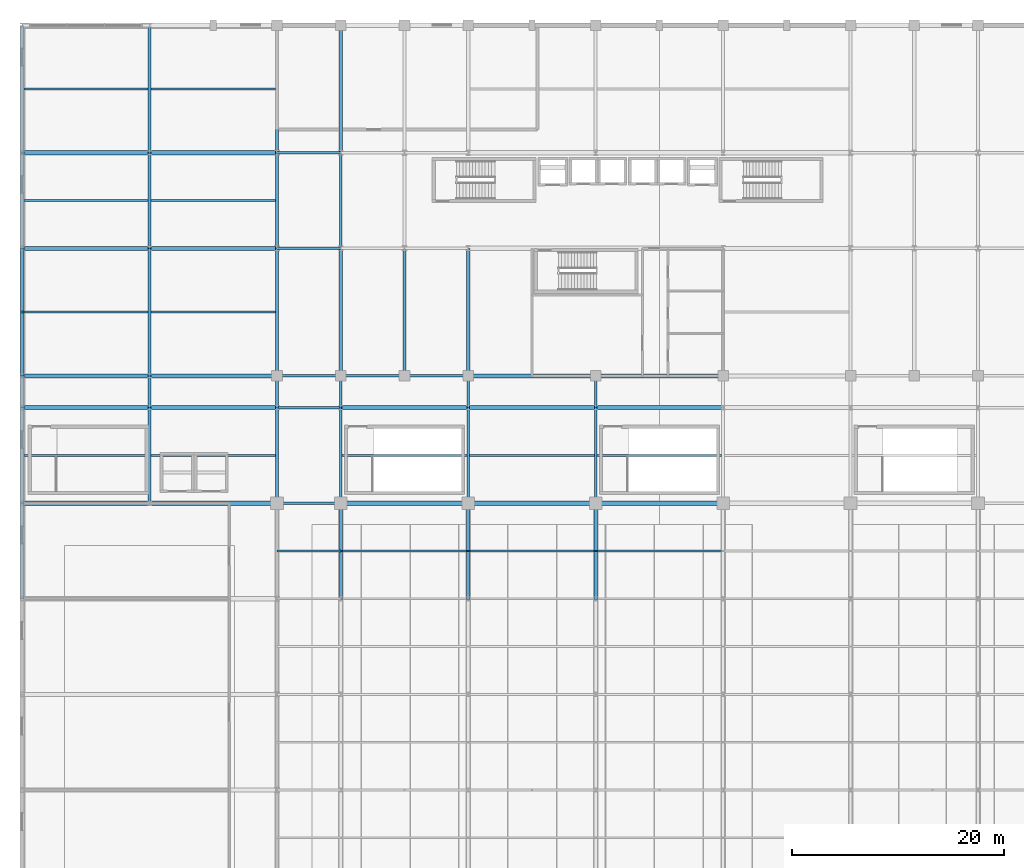
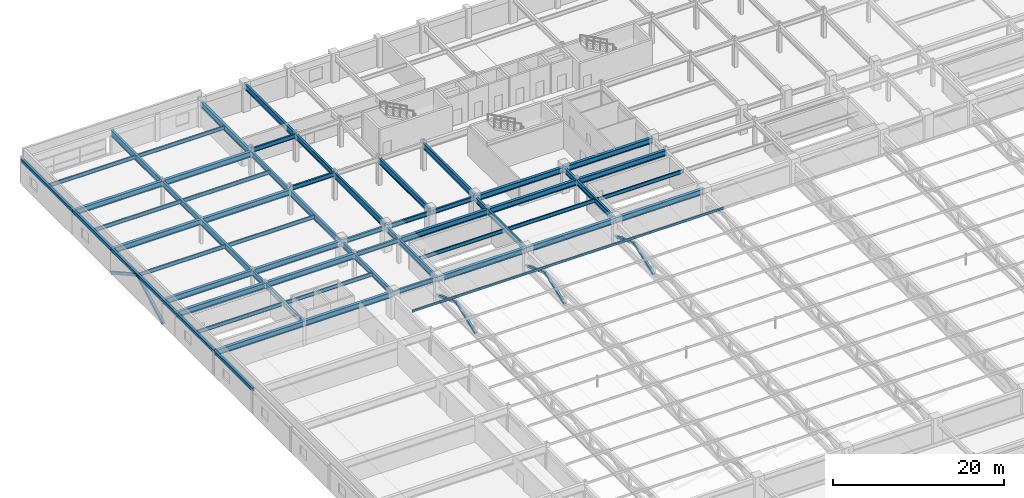
# One storey, part 42 of 108: 63 beams, 12 members.
"""IFC4 building model written with IfcOpenShell, lengths in metres."""

from ifc_helpers import new_model, si_unit, direction, frame, origin, origin_2d, place, context, subcontext, project, spatial, hollow_rectangle, i_section, extrude, material, material_profile, profile_set, type_object, element, save


model = new_model("IFC4")

# Units and contexts
model_context = context("Model", 3, precision=1e-05, world=origin(), true_north=direction((0.0, 1.0)))
body_context = subcontext(model_context, "Body", "Model", "MODEL_VIEW")
ifc_project = project(units=[si_unit("LENGTHUNIT", "METRE"), si_unit("AREAUNIT", "SQUARE_METRE"), si_unit("VOLUMEUNIT", "CUBIC_METRE"), si_unit("PLANEANGLEUNIT", "RADIAN"), si_unit("MASSUNIT", "GRAM", prefix="KILO")], contexts=[model_context])

# Site, building, storey
site_placement = place(None, origin())
site = spatial("IfcSite", under=ifc_project, at=site_placement, CompositionType="ELEMENT")
building_placement = place(site_placement, origin())
building = spatial("IfcBuilding", under=site, at=building_placement, Name="Kaldorvane Square Convention Centre", CompositionType="ELEMENT")
storey_placement = place(building_placement, frame((0.0, 0.0, 23.399993896484375)))
storey = spatial("IfcBuildingStorey", under=building, at=storey_placement, Name="L04", CompositionType="ELEMENT", Elevation=23.399993896484375)

# Beams
ifc_material_1 = material(Name="Steel ASTM A992 Gr. 50", Category="steel")
ifc_material_profile_1 = material_profile(ifc_material_1, i_section(OverallWidth=0.2303009033203125, OverallDepth=0.61749267578125, WebThickness=0.0131072998046875, FlangeThickness=0.0222015380859375, FilletRadius=0.0126953125, at=origin_2d()), Name="W24X94")
ifc_profile_set_1 = profile_set([ifc_material_profile_1], Name="Steel ASTM A992 Gr. 50")
beam_type_1 = type_object("IfcBeamType", Name="BM-GR-W24X94", PredefinedType="BEAM", material=ifc_profile_set_1)
for number, where, z_axis, x_axis, name in (
    (1, (24.0, 72.0, 3.2172088623046875), (1.0, 0.0, 0.0), (0.0, 1.0, 0.0), "Primary Girder (L04)"),
    (2, (24.0, 81.0, 3.2172088623046875), (1.0, 0.0, 0.0), (0.0, 1.0, 0.0), "Primary Girder (L04)"),
    (3, (24.0, 84.0, 3.2172088623046875), (1.0, 0.0, 0.0), (0.0, 1.0, 0.0), "Primary Girder (L04)"),
    (4, (30.0, 84.0, 3.2172088623046875), (1.0, 0.0, 0.0), (0.0, 1.0, 0.0), "Primary Girder (L04)"),
    (5, (36.0, 84.0, 3.2172088623046875), (1.0, 0.0, 0.0), (0.0, 1.0, 0.0), "Primary Girder (L04)"),
    (6, (24.0, 96.0, 3.57720947265625), (1.0, 0.0, 0.0), (0.0, 1.0, 0.0), "Primary Girder (L04)"),
    (7, (24.0, 105.0, 3.57720947265625), (1.0, 0.0, 0.0), (0.0, 1.0, 0.0), "Primary Girder (L04)"),
):
    element("IfcBeam", number, at=place(storey_placement, frame(where, z_axis=z_axis, x_axis=x_axis)), inside=storey, type_object=beam_type_1, Name=name, PredefinedType="BEAM", context=body_context, shape_type="SweptSolid", body=[
        extrude(i_section(OverallWidth=0.2303009033203125, OverallDepth=0.61749267578125, WebThickness=0.0131072998046875, FlangeThickness=0.0222015380859375, FilletRadius=0.0126953125, at=origin_2d()), origin(), (0.0, 0.0, 1.0), 6.0),
    ])
ifc_material_profile_2 = material_profile(ifc_material_1, i_section(OverallWidth=0.2666015625, OverallDepth=0.762298583984375, WebThickness=0.014404296875, FlangeThickness=0.0216064453125, FilletRadius=0.0164947509765625, at=origin_2d()), Name="W30X116")
ifc_profile_set_2 = profile_set([ifc_material_profile_2], Name="Steel ASTM A992 Gr. 50")
beam_type_2 = type_object("IfcBeamType", Name="BM-GR-W30X116", PredefinedType="BEAM", material=ifc_profile_set_2)
beam_1_placement = place(storey_placement, frame((12.0, 72.0, 3.144805908203125), z_axis=(0.0, 1.0, 0.0), x_axis=(-1.0, 0.0, 0.0)))
element("IfcBeam", 8, at=beam_1_placement, inside=storey, type_object=beam_type_2, Name="Transverse Girder (L04)", PredefinedType="BEAM", context=body_context, shape_type="SweptSolid", body=[
    extrude(i_section(OverallWidth=0.2666015625, OverallDepth=0.762298583984375, WebThickness=0.014404296875, FlangeThickness=0.0216064453125, FilletRadius=0.0164947509765625, at=origin_2d()), origin(), (0.0, 0.0, 1.0), 9.0),
])
beam_2_placement = place(storey_placement, frame((12.0, 81.0, 3.144805908203125), z_axis=(0.0, 1.0, 0.0), x_axis=(-1.0, 0.0, 0.0)))
element("IfcBeam", 9, at=beam_2_placement, inside=storey, type_object=beam_type_2, Name="Transverse Girder (L04)", PredefinedType="BEAM", context=body_context, shape_type="SweptSolid", body=[
    extrude(i_section(OverallWidth=0.2666015625, OverallDepth=0.762298583984375, WebThickness=0.014404296875, FlangeThickness=0.0216064453125, FilletRadius=0.0164947509765625, at=origin_2d()), origin(), (0.0, 0.0, 1.0), 3.0),
])
for number, where, z_axis, x_axis, name in (
    (10, (12.0, 96.0, 3.144805908203125), (0.0, 1.0, 0.0), (-1.0, 0.0, 0.0), "Transverse Girder (L04)"),
    (11, (24.0, 72.0, 3.144805908203125), (0.0, 1.0, 0.0), (-1.0, 0.0, 0.0), "Transverse Girder (L04)"),
):
    element("IfcBeam", number, at=place(storey_placement, frame(where, z_axis=z_axis, x_axis=x_axis)), inside=storey, type_object=beam_type_2, Name=name, PredefinedType="BEAM", context=body_context, shape_type="SweptSolid", body=[
        extrude(i_section(OverallWidth=0.2666015625, OverallDepth=0.762298583984375, WebThickness=0.014404296875, FlangeThickness=0.0216064453125, FilletRadius=0.0164947509765625, at=origin_2d()), origin(), (0.0, 0.0, 1.0), 9.0),
    ])
beam_3_placement = place(storey_placement, frame((24.0, 81.0, 3.144805908203125), z_axis=(0.0, 1.0, 0.0), x_axis=(-1.0, 0.0, 0.0)))
element("IfcBeam", 12, at=beam_3_placement, inside=storey, type_object=beam_type_2, Name="Transverse Girder (L04)", PredefinedType="BEAM", context=body_context, shape_type="SweptSolid", body=[
    extrude(i_section(OverallWidth=0.2666015625, OverallDepth=0.762298583984375, WebThickness=0.014404296875, FlangeThickness=0.0216064453125, FilletRadius=0.0164947509765625, at=origin_2d()), origin(), (0.0, 0.0, 1.0), 3.0),
])
for number, where, z_axis, x_axis, name in (
    (13, (24.0, 96.0, 3.144805908203125), (0.0, 1.0, 0.0), (-1.0, 0.0, 0.0), "Transverse Girder (L04)"),
    (14, (30.0, 72.0, 3.144805908203125), (0.0, 1.0, 0.0), (-1.0, 0.0, 0.0), "Transverse Girder (L04)"),
):
    element("IfcBeam", number, at=place(storey_placement, frame(where, z_axis=z_axis, x_axis=x_axis)), inside=storey, type_object=beam_type_2, Name=name, PredefinedType="BEAM", context=body_context, shape_type="SweptSolid", body=[
        extrude(i_section(OverallWidth=0.2666015625, OverallDepth=0.762298583984375, WebThickness=0.014404296875, FlangeThickness=0.0216064453125, FilletRadius=0.0164947509765625, at=origin_2d()), origin(), (0.0, 0.0, 1.0), 9.0),
    ])
beam_4_placement = place(storey_placement, frame((30.0, 81.0, 3.144805908203125), z_axis=(0.0, 1.0, 0.0), x_axis=(-1.0, 0.0, 0.0)))
element("IfcBeam", 15, at=beam_4_placement, inside=storey, type_object=beam_type_2, Name="Transverse Girder (L04)", PredefinedType="BEAM", context=body_context, shape_type="SweptSolid", body=[
    extrude(i_section(OverallWidth=0.2666015625, OverallDepth=0.762298583984375, WebThickness=0.014404296875, FlangeThickness=0.0216064453125, FilletRadius=0.0164947509765625, at=origin_2d()), origin(), (0.0, 0.0, 1.0), 3.0),
])
for number, where, z_axis, x_axis, name in (
    (16, (30.0, 96.0, 3.5048065185546875), (0.0, 1.0, 0.0), (-1.0, 0.0, 0.0), "Transverse Girder (L04)"),
    (17, (42.0, 72.0, 3.144805908203125), (0.0, 1.0, 0.0), (-1.0, 0.0, 0.0), "Transverse Girder (L04)"),
):
    element("IfcBeam", number, at=place(storey_placement, frame(where, z_axis=z_axis, x_axis=x_axis)), inside=storey, type_object=beam_type_2, Name=name, PredefinedType="BEAM", context=body_context, shape_type="SweptSolid", body=[
        extrude(i_section(OverallWidth=0.2666015625, OverallDepth=0.762298583984375, WebThickness=0.014404296875, FlangeThickness=0.0216064453125, FilletRadius=0.0164947509765625, at=origin_2d()), origin(), (0.0, 0.0, 1.0), 9.0),
    ])
beam_5_placement = place(storey_placement, frame((42.0, 81.0, 3.144805908203125), z_axis=(0.0, 1.0, 0.0), x_axis=(-1.0, 0.0, 0.0)))
element("IfcBeam", 18, at=beam_5_placement, inside=storey, type_object=beam_type_2, Name="Transverse Girder (L04)", PredefinedType="BEAM", context=body_context, shape_type="SweptSolid", body=[
    extrude(i_section(OverallWidth=0.2666015625, OverallDepth=0.762298583984375, WebThickness=0.014404296875, FlangeThickness=0.0216064453125, FilletRadius=0.0164947509765625, at=origin_2d()), origin(), (0.0, 0.0, 1.0), 3.0),
])
beam_6_placement = place(storey_placement, frame((54.0, 72.0, 3.144805908203125), z_axis=(0.0, 1.0, 0.0), x_axis=(-1.0, 0.0, 0.0)))
element("IfcBeam", 19, at=beam_6_placement, inside=storey, type_object=beam_type_2, Name="Transverse Girder (L04)", PredefinedType="BEAM", context=body_context, shape_type="SweptSolid", body=[
    extrude(i_section(OverallWidth=0.2666015625, OverallDepth=0.762298583984375, WebThickness=0.014404296875, FlangeThickness=0.0216064453125, FilletRadius=0.0164947509765625, at=origin_2d()), origin(), (0.0, 0.0, 1.0), 9.0),
])
beam_7_placement = place(storey_placement, frame((54.0, 81.0, 3.144805908203125), z_axis=(0.0, 1.0, 0.0), x_axis=(-1.0, 0.0, 0.0)))
element("IfcBeam", 20, at=beam_7_placement, inside=storey, type_object=beam_type_2, Name="Transverse Girder (L04)", PredefinedType="BEAM", context=body_context, shape_type="SweptSolid", body=[
    extrude(i_section(OverallWidth=0.2666015625, OverallDepth=0.762298583984375, WebThickness=0.014404296875, FlangeThickness=0.0216064453125, FilletRadius=0.0164947509765625, at=origin_2d()), origin(), (0.0, 0.0, 1.0), 3.0),
])
ifc_material_profile_3 = material_profile(ifc_material_1, i_section(OverallWidth=0.380706787109375, OverallDepth=0.773193359375, WebThickness=0.0166015625, FlangeThickness=0.027099609375, FilletRadius=0.0164947509765625, at=origin_2d()), Name="W30X173")
ifc_profile_set_3 = profile_set([ifc_material_profile_3], Name="Steel ASTM A992 Gr. 50")
beam_type_3 = type_object("IfcBeamType", Name="BM-GR-W30X173", PredefinedType="BEAM", material=ifc_profile_set_3)
for number, where, z_axis, x_axis, name in (
    (21, (0.0, 72.0, 3.139404296875), (1.0, 0.0, 0.0), (0.0, 1.0, 0.0), "Primary Girder (L04)"),
    (22, (12.0, 72.0, 3.139404296875), (1.0, 0.0, 0.0), (0.0, 1.0, 0.0), "Primary Girder (L04)"),
    (23, (30.0, 72.0, 3.139404296875), (1.0, 0.0, 0.0), (0.0, 1.0, 0.0), "Primary Girder (L04)"),
    (24, (42.0, 72.0, 3.139404296875), (1.0, 0.0, 0.0), (0.0, 1.0, 0.0), "Primary Girder (L04)"),
    (25, (54.0, 72.0, 3.139404296875), (1.0, 0.0, 0.0), (0.0, 1.0, 0.0), "Primary Girder (L04)"),
    (26, (0.0, 81.0, 3.139404296875), (1.0, 0.0, 0.0), (0.0, 1.0, 0.0), "Primary Girder (L04)"),
    (27, (12.0, 81.0, 3.139404296875), (1.0, 0.0, 0.0), (0.0, 1.0, 0.0), "Primary Girder (L04)"),
    (28, (30.0, 81.0, 3.139404296875), (1.0, 0.0, 0.0), (0.0, 1.0, 0.0), "Primary Girder (L04)"),
    (29, (42.0, 81.0, 3.139404296875), (1.0, 0.0, 0.0), (0.0, 1.0, 0.0), "Primary Girder (L04)"),
    (30, (54.0, 81.0, 3.139404296875), (1.0, 0.0, 0.0), (0.0, 1.0, 0.0), "Primary Girder (L04)"),
    (31, (0.0, 84.0, 3.139404296875), (1.0, 0.0, 0.0), (0.0, 1.0, 0.0), "Primary Girder (L04)"),
    (32, (12.0, 84.0, 3.139404296875), (1.0, 0.0, 0.0), (0.0, 1.0, 0.0), "Primary Girder (L04)"),
    (33, (42.0, 84.0, 3.139404296875), (1.0, 0.0, 0.0), (0.0, 1.0, 0.0), "Primary Girder (L04)"),
    (34, (54.0, 84.0, 3.139404296875), (1.0, 0.0, 0.0), (0.0, 1.0, 0.0), "Primary Girder (L04)"),
    (35, (0.0, 96.0, 3.139404296875), (1.0, 0.0, 0.0), (0.0, 1.0, 0.0), "Primary Girder (L04)"),
    (36, (12.0, 96.0, 3.139404296875), (1.0, 0.0, 0.0), (0.0, 1.0, 0.0), "Primary Girder (L04)"),
    (37, (0.0, 105.0, 3.139404296875), (1.0, 0.0, 0.0), (0.0, 1.0, 0.0), "Primary Girder (L04)"),
    (38, (12.0, 105.0, 3.139404296875), (1.0, 0.0, 0.0), (0.0, 1.0, 0.0), "Primary Girder (L04)"),
):
    element("IfcBeam", number, at=place(storey_placement, frame(where, z_axis=z_axis, x_axis=x_axis)), inside=storey, type_object=beam_type_3, Name=name, PredefinedType="BEAM", context=body_context, shape_type="SweptSolid", body=[
        extrude(i_section(OverallWidth=0.380706787109375, OverallDepth=0.773193359375, WebThickness=0.0166015625, FlangeThickness=0.027099609375, FilletRadius=0.0164947509765625, at=origin_2d()), origin(), (0.0, 0.0, 1.0), 12.0),
    ])
ifc_material_profile_4 = material_profile(ifc_material_1, i_section(OverallWidth=0.292999267578125, OverallDepth=0.845794677734375, WebThickness=0.0153961181640625, FlangeThickness=0.0243988037109375, FilletRadius=0.0178070068359375, at=origin_2d()), Name="W33X141")
ifc_profile_set_4 = profile_set([ifc_material_profile_4], Name="Steel ASTM A992 Gr. 50")
beam_type_4 = type_object("IfcBeamType", Name="BM-GR-W33X141", PredefinedType="BEAM", material=ifc_profile_set_4)
for number, where, z_axis, x_axis, name in (
    (39, (12.0, 84.0, 3.1031036376953125), (0.0, 1.0, 0.0), (-1.0, 0.0, 0.0), "Transverse Girder (L04)"),
    (40, (12.0, 105.0, 3.1031036376953125), (0.0, 1.0, 0.0), (-1.0, 0.0, 0.0), "Transverse Girder (L04)"),
    (41, (24.0, 84.0, 3.1031036376953125), (0.0, 1.0, 0.0), (-1.0, 0.0, 0.0), "Transverse Girder (L04)"),
    (42, (24.0, 105.0, 3.1031036376953125), (0.0, 1.0, 0.0), (-1.0, 0.0, 0.0), "Transverse Girder (L04)"),
    (43, (30.0, 84.0, 3.463104248046875), (0.0, 1.0, 0.0), (-1.0, 0.0, 0.0), "Transverse Girder (L04)"),
    (44, (30.0, 105.0, 3.463104248046875), (0.0, 1.0, 0.0), (-1.0, 0.0, 0.0), "Transverse Girder (L04)"),
    (45, (36.0, 84.0, 3.463104248046875), (0.0, 1.0, 0.0), (-1.0, 0.0, 0.0), "Transverse Girder (L04)"),
    (46, (42.0, 84.0, 3.463104248046875), (0.0, 1.0, 0.0), (-1.0, 0.0, 0.0), "Transverse Girder (L04)"),
):
    element("IfcBeam", number, at=place(storey_placement, frame(where, z_axis=z_axis, x_axis=x_axis)), inside=storey, type_object=beam_type_4, Name=name, PredefinedType="BEAM", context=body_context, shape_type="SweptSolid", body=[
        extrude(i_section(OverallWidth=0.292999267578125, OverallDepth=0.845794677734375, WebThickness=0.0153961181640625, FlangeThickness=0.0243988037109375, FilletRadius=0.0178070068359375, at=origin_2d()), origin(), (0.0, 0.0, 1.0), 12.0),
    ])
ifc_material_profile_5 = material_profile(ifc_material_1, i_section(OverallWidth=0.1658935546875, OverallDepth=0.5290985107421875, WebThickness=0.00970458984375, FlangeThickness=0.0135955810546875, FilletRadius=0.0126953125, at=origin_2d()), Name="W21X50")
ifc_profile_set_5 = profile_set([ifc_material_profile_5], Name="Steel ASTM A992 Gr. 50")
beam_type_5 = type_object("IfcBeamType", Name="BM-JS-W21X50", PredefinedType="JOIST", material=ifc_profile_set_5)
beam_8_placement = place(storey_placement, frame((0.15240478515625, 76.5, 3.26141357421875), z_axis=(1.0, 0.0, 0.0), x_axis=(0.0, 1.0, 0.0)))
element("IfcBeam", 47, at=beam_8_placement, inside=storey, type_object=beam_type_5, Name="Secondary Floor Joist (L04)", PredefinedType="JOIST", context=body_context, shape_type="SweptSolid", body=[
    extrude(i_section(OverallWidth=0.1658935546875, OverallDepth=0.5290985107421875, WebThickness=0.00970458984375, FlangeThickness=0.0135955810546875, FilletRadius=0.0126953125, at=origin_2d()), origin(), (0.0, 0.0, 1.0), 11.71429443359375),
])
for number, where, z_axis, x_axis, name in (
    (48, (12.13330078125, 76.5, 3.26141357421875), (1.0, 0.0, 0.0), (0.0, 1.0, 0.0), "Secondary Floor Joist (L04)"),
    (49, (30.13330078125, 76.5, 3.26141357421875), (1.0, 0.0, 0.0), (0.0, 1.0, 0.0), "Secondary Floor Joist (L04)"),
    (50, (42.13330078125, 76.5, 3.26141357421875), (1.0, 0.0, 0.0), (0.0, 1.0, 0.0), "Secondary Floor Joist (L04)"),
    (51, (54.13330078125, 76.5, 3.26141357421875), (1.0, 0.0, 0.0), (0.0, 1.0, 0.0), "Secondary Floor Joist (L04)"),
):
    element("IfcBeam", number, at=place(storey_placement, frame(where, z_axis=z_axis, x_axis=x_axis)), inside=storey, type_object=beam_type_5, Name=name, PredefinedType="JOIST", context=body_context, shape_type="SweptSolid", body=[
        extrude(i_section(OverallWidth=0.1658935546875, OverallDepth=0.5290985107421875, WebThickness=0.00970458984375, FlangeThickness=0.0135955810546875, FilletRadius=0.0126953125, at=origin_2d()), origin(), (0.0, 0.0, 1.0), 11.7333984375),
    ])
beam_9_placement = place(storey_placement, frame((0.15240478515625, 90.0, 3.26141357421875), z_axis=(1.0, 0.0, 0.0), x_axis=(0.0, 1.0, 0.0)))
element("IfcBeam", 52, at=beam_9_placement, inside=storey, type_object=beam_type_5, Name="Secondary Floor Joist (L04)", PredefinedType="JOIST", context=body_context, shape_type="SweptSolid", body=[
    extrude(i_section(OverallWidth=0.1658935546875, OverallDepth=0.5290985107421875, WebThickness=0.00970458984375, FlangeThickness=0.0135955810546875, FilletRadius=0.0126953125, at=origin_2d()), origin(), (0.0, 0.0, 1.0), 11.701095581054688),
])
beam_10_placement = place(storey_placement, frame((12.146499633789062, 90.0, 3.26141357421875), z_axis=(1.0, 0.0, 0.0), x_axis=(0.0, 1.0, 0.0)))
element("IfcBeam", 53, at=beam_10_placement, inside=storey, type_object=beam_type_5, Name="Secondary Floor Joist (L04)", PredefinedType="JOIST", context=body_context, shape_type="SweptSolid", body=[
    extrude(i_section(OverallWidth=0.1658935546875, OverallDepth=0.5290985107421875, WebThickness=0.00970458984375, FlangeThickness=0.0135955810546875, FilletRadius=0.0126953125, at=origin_2d()), origin(), (0.0, 0.0, 1.0), 11.707000732421875),
])
beam_11_placement = place(storey_placement, frame((0.15240478515625, 100.5, 3.26141357421875), z_axis=(1.0, 0.0, 0.0), x_axis=(0.0, 1.0, 0.0)))
element("IfcBeam", 54, at=beam_11_placement, inside=storey, type_object=beam_type_5, Name="Secondary Floor Joist (L04)", PredefinedType="JOIST", context=body_context, shape_type="SweptSolid", body=[
    extrude(i_section(OverallWidth=0.1658935546875, OverallDepth=0.5290985107421875, WebThickness=0.00970458984375, FlangeThickness=0.0135955810546875, FilletRadius=0.0126953125, at=origin_2d()), origin(), (0.0, 0.0, 1.0), 11.71429443359375),
])
beam_12_placement = place(storey_placement, frame((12.13330078125, 100.5, 3.26141357421875), z_axis=(1.0, 0.0, 0.0), x_axis=(0.0, 1.0, 0.0)))
element("IfcBeam", 55, at=beam_12_placement, inside=storey, type_object=beam_type_5, Name="Secondary Floor Joist (L04)", PredefinedType="JOIST", context=body_context, shape_type="SweptSolid", body=[
    extrude(i_section(OverallWidth=0.1658935546875, OverallDepth=0.5290985107421875, WebThickness=0.00970458984375, FlangeThickness=0.0135955810546875, FilletRadius=0.0126953125, at=origin_2d()), origin(), (0.0, 0.0, 1.0), 11.7333984375),
])
beam_13_placement = place(storey_placement, frame((0.15240478515625, 111.0, 3.26141357421875), z_axis=(1.0, 0.0, 0.0), x_axis=(0.0, 1.0, 0.0)))
element("IfcBeam", 56, at=beam_13_placement, inside=storey, type_object=beam_type_5, Name="Secondary Floor Joist (L04)", PredefinedType="JOIST", context=body_context, shape_type="SweptSolid", body=[
    extrude(i_section(OverallWidth=0.1658935546875, OverallDepth=0.5290985107421875, WebThickness=0.00970458984375, FlangeThickness=0.0135955810546875, FilletRadius=0.0126953125, at=origin_2d()), origin(), (0.0, 0.0, 1.0), 11.701095581054688),
])
beam_14_placement = place(storey_placement, frame((12.146499633789062, 111.0, 3.26141357421875), z_axis=(1.0, 0.0, 0.0), x_axis=(0.0, 1.0, 0.0)))
element("IfcBeam", 57, at=beam_14_placement, inside=storey, type_object=beam_type_5, Name="Secondary Floor Joist (L04)", PredefinedType="JOIST", context=body_context, shape_type="SweptSolid", body=[
    extrude(i_section(OverallWidth=0.1658935546875, OverallDepth=0.5290985107421875, WebThickness=0.00970458984375, FlangeThickness=0.0135955810546875, FilletRadius=0.0126953125, at=origin_2d()), origin(), (0.0, 0.0, 1.0), 11.707000732421875),
])
ifc_material_2 = material(Name="Steel ASTM A500 Gr. C", Category="steel")
ifc_material_profile_6 = material_profile(ifc_material_2, hollow_rectangle(XDim=0.3047943115234375, YDim=0.406402587890625, WallThickness=0.0117950439453125, at=origin_2d()), Name="HSS16X12X1/2")
ifc_profile_set_6 = profile_set([ifc_material_profile_6], Name="Steel ASTM A500 Gr. C")
beam_type_6 = type_object("IfcBeamType", Name="BM-SP-HSS16", PredefinedType="SPANDREL", material=ifc_profile_set_6)
for number, where, z_axis, x_axis, name in (
    (58, (0.0, 63.0, 3.3227996826171875), (0.0, 1.0, 0.0), (-1.0, 0.0, 0.0), "End Spandrel (L04)"),
    (59, (0.0, 72.0, 3.3227996826171875), (0.0, 1.0, 0.0), (-1.0, 0.0, 0.0), "End Spandrel (L04)"),
):
    element("IfcBeam", number, at=place(storey_placement, frame(where, z_axis=z_axis, x_axis=x_axis)), inside=storey, type_object=beam_type_6, Name=name, PredefinedType="SPANDREL", context=body_context, shape_type="SweptSolid", body=[
        extrude(hollow_rectangle(XDim=0.3047943115234375, YDim=0.406402587890625, WallThickness=0.0117950439453125, at=origin_2d()), origin(), (0.0, 0.0, 1.0), 9.0),
    ])
beam_15_placement = place(storey_placement, frame((0.0, 81.0, 3.3227996826171875), z_axis=(0.0, 1.0, 0.0), x_axis=(-1.0, 0.0, 0.0)))
element("IfcBeam", 60, at=beam_15_placement, inside=storey, type_object=beam_type_6, Name="End Spandrel (L04)", PredefinedType="SPANDREL", context=body_context, shape_type="SweptSolid", body=[
    extrude(hollow_rectangle(XDim=0.3047943115234375, YDim=0.406402587890625, WallThickness=0.0117950439453125, at=origin_2d()), origin(), (0.0, 0.0, 1.0), 3.0),
])
beam_16_placement = place(storey_placement, frame((0.0, 84.0, 3.3227996826171875), z_axis=(0.0, 1.0, 0.0), x_axis=(-1.0, 0.0, 0.0)))
element("IfcBeam", 61, at=beam_16_placement, inside=storey, type_object=beam_type_6, Name="End Spandrel (L04)", PredefinedType="SPANDREL", context=body_context, shape_type="SweptSolid", body=[
    extrude(hollow_rectangle(XDim=0.3047943115234375, YDim=0.406402587890625, WallThickness=0.0117950439453125, at=origin_2d()), origin(), (0.0, 0.0, 1.0), 12.0),
])
beam_17_placement = place(storey_placement, frame((0.0, 96.0, 3.3227996826171875), z_axis=(0.0, 1.0, 0.0), x_axis=(-1.0, 0.0, 0.0)))
element("IfcBeam", 62, at=beam_17_placement, inside=storey, type_object=beam_type_6, Name="End Spandrel (L04)", PredefinedType="SPANDREL", context=body_context, shape_type="SweptSolid", body=[
    extrude(hollow_rectangle(XDim=0.3047943115234375, YDim=0.406402587890625, WallThickness=0.0117950439453125, at=origin_2d()), origin(), (0.0, 0.0, 1.0), 9.0),
])
beam_18_placement = place(storey_placement, frame((0.0, 105.0, 3.3227996826171875), z_axis=(0.0, 1.0, 0.0), x_axis=(-1.0, 0.0, 0.0)))
element("IfcBeam", 63, at=beam_18_placement, inside=storey, type_object=beam_type_6, Name="End Spandrel (L04)", PredefinedType="SPANDREL", context=body_context, shape_type="SweptSolid", body=[
    extrude(hollow_rectangle(XDim=0.3047943115234375, YDim=0.406402587890625, WallThickness=0.0117950439453125, at=origin_2d()), origin(), (0.0, 0.0, 1.0), 12.0),
])

# Members
ifc_material_profile_7 = material_profile(ifc_material_2, hollow_rectangle(XDim=0.3047943115234375, YDim=0.3047943115234375, WallThickness=0.0117950439453125, at=origin_2d()), Name="HSS12X12X1/2")
ifc_profile_set_7 = profile_set([ifc_material_profile_7], Name="Steel ASTM A500 Gr. C")
member_type_1 = type_object("IfcMemberType", Name="MB-BR-HSS12", PredefinedType="BRACE", material=ifc_profile_set_7)
for number, where, z_axis, x_axis, name in (
    (64, (30.0, 63.0, 0.8800048828125), (0.0, 0.937283847769, 0.348567050524), (-1.0, 0.0, 0.0), "Hall Roof Truss RT-01 Web 6A"),
    (65, (30.0, 67.5, 2.5535125732421875), (0.0, 0.937283847769, -0.348567050524), (-1.0, 0.0, 0.0), "Hall Roof Truss RT-01 Web 6B"),
    (66, (42.0, 63.0, 0.8800048828125), (0.0, 0.937283847769, 0.348567050524), (-1.0, 0.0, 0.0), "Hall Roof Truss RT-02 Web 6A"),
    (67, (42.0, 67.5, 2.5535125732421875), (0.0, 0.937283847769, -0.348567050524), (-1.0, 0.0, 0.0), "Hall Roof Truss RT-02 Web 6B"),
    (68, (54.0, 63.0, 0.8800048828125), (0.0, 0.937283847769, 0.348567050524), (-1.0, 0.0, 0.0), "Hall Roof Truss RT-03 Web 6A"),
    (69, (54.0, 67.5, 2.5535125732421875), (0.0, 0.937283847769, -0.348567050524), (-1.0, 0.0, 0.0), "Hall Roof Truss RT-03 Web 6B"),
):
    element("IfcMember", number, at=place(storey_placement, frame(where, z_axis=z_axis, x_axis=x_axis)), inside=storey, type_object=member_type_1, Name=name, PredefinedType="BRACE", context=body_context, shape_type="SweptSolid", body=[
        extrude(hollow_rectangle(XDim=0.3047943115234375, YDim=0.3047943115234375, WallThickness=0.0117950439453125, at=origin_2d()), origin(), (0.0, 0.0, 1.0), 4.8011016845703125),
    ])
ifc_material_profile_8 = material_profile(ifc_material_2, hollow_rectangle(XDim=0.3556060791015625, YDim=0.3556060791015625, WallThickness=0.0117950439453125, at=origin_2d()), Name="HSS14X14X1/2")
ifc_profile_set_8 = profile_set([ifc_material_profile_8], Name="Steel ASTM A500 Gr. C")
member_type_2 = type_object("IfcMemberType", Name="MB-BR-HSS14", PredefinedType="BRACE", material=ifc_profile_set_8)
for number, where, z_axis, x_axis, name in (
    (70, (0.0, 84.0, 0.0), (0.0, 0.87480848787, 0.484468894307), (-1.0, 0.0, 0.0), "Seismic Chevron Brace X0-B2A (L04)"),
    (71, (0.0, 96.0, 0.0), (0.0, -0.87480848787, 0.484468894307), (1.0, 0.0, 0.0), "Seismic Chevron Brace X0-B2B (L04)"),
):
    element("IfcMember", number, at=place(storey_placement, frame(where, z_axis=z_axis, x_axis=x_axis)), inside=storey, type_object=member_type_2, Name=name, PredefinedType="BRACE", context=body_context, shape_type="SweptSolid", body=[
        extrude(hollow_rectangle(XDim=0.3556060791015625, YDim=0.3556060791015625, WallThickness=0.0117950439453125, at=origin_2d()), origin(), (0.0, 0.0, 1.0), 6.858642578125),
    ])
ifc_material_profile_9 = material_profile(ifc_material_1, i_section(OverallWidth=0.164794921875, OverallDepth=0.310394287109375, WebThickness=0.00579833984375, FlangeThickness=0.00970458984375, FilletRadius=0.007598876953125, at=origin_2d()), Name="W12X26")
ifc_profile_set_9 = profile_set([ifc_material_profile_9], Name="Steel ASTM A992 Gr. 50")
member_type_3 = type_object("IfcMemberType", Name="MB-PR-W12X26", PredefinedType="PURLIN", material=ifc_profile_set_9)
member_placement = place(storey_placement, frame((24.0, 67.5, 3.3628082275390625), z_axis=(1.0, 0.0, 0.0), x_axis=(0.0, 1.0, 0.0)))
element("IfcMember", 72, at=member_placement, inside=storey, type_object=member_type_3, Name="Hall Roof Steel Purlin", PredefinedType="PURLIN", context=body_context, shape_type="SweptSolid", body=[
    extrude(i_section(OverallWidth=0.164794921875, OverallDepth=0.310394287109375, WebThickness=0.00579833984375, FlangeThickness=0.00970458984375, FilletRadius=0.007598876953125, at=origin_2d()), origin(), (0.0, 0.0, 1.0), 6.0),
])
for number, where, z_axis, x_axis, name in (
    (73, (30.0, 67.5, 3.3628082275390625), (1.0, 0.0, 0.0), (0.0, 1.0, 0.0), "Hall Roof Steel Purlin"),
    (74, (42.0, 67.5, 3.3628082275390625), (1.0, 0.0, 0.0), (0.0, 1.0, 0.0), "Hall Roof Steel Purlin"),
    (75, (54.0, 67.5, 3.3628082275390625), (1.0, 0.0, 0.0), (0.0, 1.0, 0.0), "Hall Roof Steel Purlin"),
):
    element("IfcMember", number, at=place(storey_placement, frame(where, z_axis=z_axis, x_axis=x_axis)), inside=storey, type_object=member_type_3, Name=name, PredefinedType="PURLIN", context=body_context, shape_type="SweptSolid", body=[
        extrude(i_section(OverallWidth=0.164794921875, OverallDepth=0.310394287109375, WebThickness=0.00579833984375, FlangeThickness=0.00970458984375, FilletRadius=0.007598876953125, at=origin_2d()), origin(), (0.0, 0.0, 1.0), 12.0),
    ])

save(model, "model.ifc")
